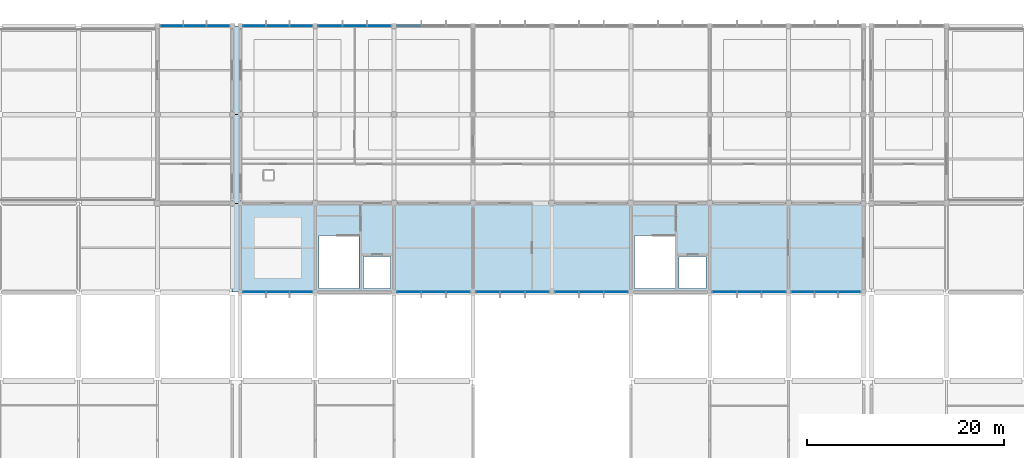
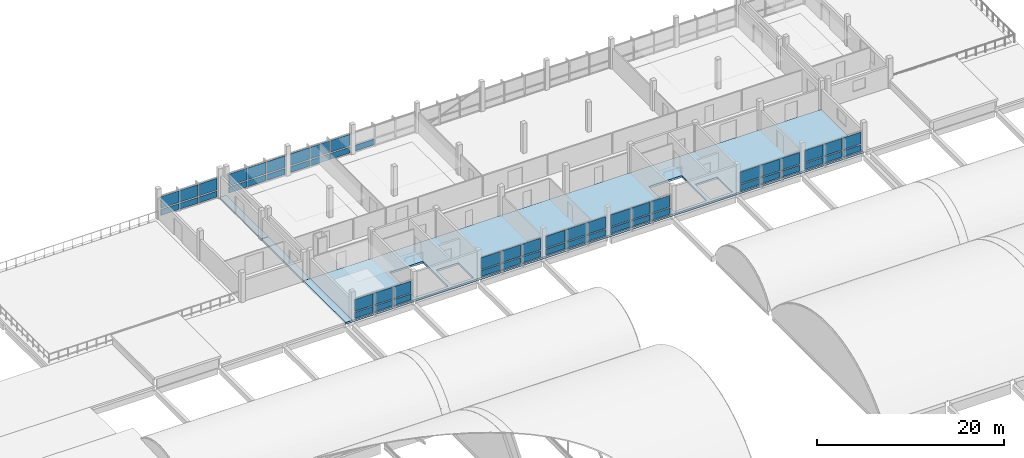
# One storey, part 43 of 57: 55 plates, 4 slabs, 10 elements without a shape of their own.
"""IFC4 building model written with IfcOpenShell, lengths in metres."""

from ifc_helpers import new_model, si_unit, direction, frame, origin, origin_2d, place, context, subcontext, project, spatial, polyline, rectangle, outline, extrude, material, layer, layer_set, type_object, element, aggregate, save


model = new_model("IFC4")

# Units and contexts
model_context = context("Model", 3, precision=1e-05, world=origin(), true_north=direction((0.0, 1.0)))
body_context = subcontext(model_context, "Body", "Model", "MODEL_VIEW")
ifc_project = project(units=[si_unit("LENGTHUNIT", "METRE"), si_unit("AREAUNIT", "SQUARE_METRE"), si_unit("VOLUMEUNIT", "CUBIC_METRE"), si_unit("PLANEANGLEUNIT", "RADIAN"), si_unit("MASSUNIT", "GRAM", prefix="KILO"), si_unit("THERMODYNAMICTEMPERATUREUNIT", "KELVIN"), si_unit("POWERUNIT", "WATT")], contexts=[model_context])

# Site, building, storey
site_placement = place(None, origin())
site = spatial("IfcSite", under=ifc_project, at=site_placement, CompositionType="ELEMENT")
building_placement = place(site_placement, origin())
building = spatial("IfcBuilding", under=site, at=building_placement, Name="Kronsvod Quay Wholesale Market", CompositionType="ELEMENT")
storey_placement = place(building_placement, frame((0.0, 0.0, 13.199951171875)))
storey = spatial("IfcBuildingStorey", under=building, at=storey_placement, Name="L03", CompositionType="ELEMENT", Elevation=13.199951171875)

# Curtain wall, plate
ifc_material_1 = material(Name="Thermally broken aluminium and triple low-E glazing", Category="aluminium")
curtain_wall_type_1 = type_object("IfcCurtainWallType", Name="CW_Harbour76x30", PredefinedType="NOTDEFINED", material=ifc_material_1)
curtain_wall_1_placement = place(storey_placement, origin())
curtain_wall_1 = element("IfcCurtainWall", 1, at=curtain_wall_1_placement, inside=storey, type_object=curtain_wall_type_1, Name="CWGX-L03-560-1260", PredefinedType="NOTDEFINED")
ifc_material_2 = material(Name="Insulated aluminium spandrel panel", Category="aluminium")
ifc_layer_1 = layer(ifc_material_2, 0.048095703125)
ifc_layer_set_1 = layer_set([ifc_layer_1], Name="Insulated aluminium spandrel panel")
plate_type_1 = type_object("IfcPlateType", Name="CWPanel_SP2257x775", PredefinedType="CURTAIN_PANEL", material=ifc_layer_set_1)
plate_1_placement = place(storey_placement, frame((62.1513671875, 126.0, 0.150146484375), z_axis=(0.0, 0.0, 1.0), x_axis=(-1.0, 0.0, 0.0)))
plate_1 = element("IfcPlate", 2, at=plate_1_placement, type_object=plate_type_1, Name="CWGX-L03-560-1260-PS1", PredefinedType="CURTAIN_PANEL", context=body_context, shape_type="SweptSolid", body=[
    extrude(rectangle(XDim=2.257080078125, YDim=0.048095703125, at=origin_2d()), origin(), (0.0, 0.0, 1.0), 0.77490234375),
])

ifc_material_3 = material(Name="Thermally broken aluminium and triple low-E glazing", Category="aluminium")
curtain_wall_type_2 = type_object("IfcCurtainWallType", Name="CW_Harbour80x30", PredefinedType="NOTDEFINED", material=ifc_material_3)
curtain_wall_2_placement = place(storey_placement, origin())
curtain_wall_2 = element("IfcCurtainWall", 3, at=curtain_wall_2_placement, inside=storey, type_object=curtain_wall_type_2, Name="CWGX-L03-644-990", PredefinedType="NOTDEFINED")
plate_2_placement = place(storey_placement, frame((65.8486328125, 99.0, 0.150146484375), z_axis=(0.0, 0.0, 1.0), x_axis=(1.0, 0.0, 0.0)))
plate_2 = element("IfcPlate", 4, at=plate_2_placement, type_object=plate_type_1, Name="CWGX-L03-644-990-PS1", PredefinedType="CURTAIN_PANEL", context=body_context, shape_type="SweptSolid", body=[
    extrude(rectangle(XDim=2.257080078125, YDim=0.048095703125, at=origin_2d()), origin(), (0.0, 0.0, 1.0), 0.77490234375),
])

curtain_wall_3_placement = place(storey_placement, origin())
curtain_wall_3 = element("IfcCurtainWall", 5, at=curtain_wall_3_placement, inside=storey, type_object=curtain_wall_type_2, Name="CWGX-L03-1200-990", PredefinedType="NOTDEFINED")
plate_3_placement = place(storey_placement, frame((121.44873046875, 99.0, 0.150146484375), z_axis=(0.0, 0.0, 1.0), x_axis=(1.0, 0.0, 0.0)))
plate_3 = element("IfcPlate", 6, at=plate_3_placement, type_object=plate_type_1, Name="CWGX-L03-1200-990-PS1", PredefinedType="CURTAIN_PANEL", context=body_context, shape_type="SweptSolid", body=[
    extrude(rectangle(XDim=2.257080078125, YDim=0.048095703125, at=origin_2d()), origin(), (0.0, 0.0, 1.0), 0.77490234375),
])

curtain_wall_4_placement = place(storey_placement, origin())
curtain_wall_4 = element("IfcCurtainWall", 7, at=curtain_wall_4_placement, inside=storey, type_object=curtain_wall_type_1, Name="CWGX-L03-644-1260", PredefinedType="NOTDEFINED")
plate_4_placement = place(storey_placement, frame((70.55126953125, 126.0, 0.150146484375), z_axis=(0.0, 0.0, 1.0), x_axis=(-1.0, 0.0, 0.0)))
plate_4 = element("IfcPlate", 8, at=plate_4_placement, type_object=plate_type_1, Name="CWGX-L03-644-1260-PS1", PredefinedType="CURTAIN_PANEL", context=body_context, shape_type="SweptSolid", body=[
    extrude(rectangle(XDim=2.257080078125, YDim=0.048095703125, at=origin_2d()), origin(), (0.0, 0.0, 1.0), 0.77490234375),
])

# Plate
ifc_material_4 = material(Name="Insulated aluminium spandrel panel", Category="aluminium")
ifc_layer_2 = layer(ifc_material_4, 0.048095703125)
ifc_layer_set_2 = layer_set([ifc_layer_2], Name="Insulated aluminium spandrel panel")
plate_type_2 = type_object("IfcPlateType", Name="CWPanel_SP2258x775", PredefinedType="CURTAIN_PANEL", material=ifc_layer_set_2)
plate_5_placement = place(storey_placement, frame((57.44873046875, 126.0, 0.150146484375), z_axis=(0.0, 0.0, 1.0), x_axis=(-1.0, 0.0, 0.0)))
plate_5 = element("IfcPlate", 9, at=plate_5_placement, type_object=plate_type_2, Name="CWGX-L03-560-1260-PS3", PredefinedType="CURTAIN_PANEL", context=body_context, shape_type="SweptSolid", body=[
    extrude(rectangle(XDim=2.258056640625, YDim=0.048095703125, at=origin_2d()), origin(), (0.0, 0.0, 1.0), 0.77490234375),
])

plate_6_placement = place(storey_placement, frame((70.55126953125, 99.0, 0.150146484375), z_axis=(0.0, 0.0, 1.0), x_axis=(1.0, 0.0, 0.0)))
plate_6 = element("IfcPlate", 10, at=plate_6_placement, type_object=plate_type_2, Name="CWGX-L03-644-990-PS3", PredefinedType="CURTAIN_PANEL", context=body_context, shape_type="SweptSolid", body=[
    extrude(rectangle(XDim=2.258056640625, YDim=0.048095703125, at=origin_2d()), origin(), (0.0, 0.0, 1.0), 0.77490234375),
])

plate_7_placement = place(storey_placement, frame((126.1513671875, 99.0, 0.150146484375), z_axis=(0.0, 0.0, 1.0), x_axis=(1.0, 0.0, 0.0)))
plate_7 = element("IfcPlate", 11, at=plate_7_placement, type_object=plate_type_2, Name="CWGX-L03-1200-990-PS3", PredefinedType="CURTAIN_PANEL", context=body_context, shape_type="SweptSolid", body=[
    extrude(rectangle(XDim=2.258056640625, YDim=0.048095703125, at=origin_2d()), origin(), (0.0, 0.0, 1.0), 0.77490234375),
])

plate_8_placement = place(storey_placement, frame((65.8486328125, 126.0, 0.150146484375), z_axis=(0.0, 0.0, 1.0), x_axis=(-1.0, 0.0, 0.0)))
plate_8 = element("IfcPlate", 12, at=plate_8_placement, type_object=plate_type_2, Name="CWGX-L03-644-1260-PS3", PredefinedType="CURTAIN_PANEL", context=body_context, shape_type="SweptSolid", body=[
    extrude(rectangle(XDim=2.258056640625, YDim=0.048095703125, at=origin_2d()), origin(), (0.0, 0.0, 1.0), 0.77490234375),
])

ifc_material_5 = material(Name="Insulated aluminium spandrel panel", Category="aluminium")
ifc_layer_3 = layer(ifc_material_5, 0.048095703125)
ifc_layer_set_3 = layer_set([ifc_layer_3], Name="Insulated aluminium spandrel panel")
plate_type_3 = type_object("IfcPlateType", Name="CWPanel_SP2295x775", PredefinedType="CURTAIN_PANEL", material=ifc_layer_set_3)
plate_9_placement = place(storey_placement, frame((59.800048828125, 126.0, 0.150146484375), z_axis=(0.0, 0.0, 1.0), x_axis=(-1.0, 0.0, 0.0)))
plate_9 = element("IfcPlate", 13, at=plate_9_placement, type_object=plate_type_3, Name="CWGX-L03-560-1260-PS2", PredefinedType="CURTAIN_PANEL", context=body_context, shape_type="SweptSolid", body=[
    extrude(rectangle(XDim=2.294921875, YDim=0.048095703125, at=origin_2d()), origin(), (0.0, 0.0, 1.0), 0.77490234375),
])

plate_10_placement = place(storey_placement, frame((68.199951171875, 99.0, 0.150146484375), z_axis=(0.0, 0.0, 1.0), x_axis=(1.0, 0.0, 0.0)))
plate_10 = element("IfcPlate", 14, at=plate_10_placement, type_object=plate_type_3, Name="CWGX-L03-644-990-PS2", PredefinedType="CURTAIN_PANEL", context=body_context, shape_type="SweptSolid", body=[
    extrude(rectangle(XDim=2.294921875, YDim=0.048095703125, at=origin_2d()), origin(), (0.0, 0.0, 1.0), 0.77490234375),
])

plate_11_placement = place(storey_placement, frame((123.800048828125, 99.0, 0.150146484375), z_axis=(0.0, 0.0, 1.0), x_axis=(1.0, 0.0, 0.0)))
plate_11 = element("IfcPlate", 15, at=plate_11_placement, type_object=plate_type_3, Name="CWGX-L03-1200-990-PS2", PredefinedType="CURTAIN_PANEL", context=body_context, shape_type="SweptSolid", body=[
    extrude(rectangle(XDim=2.294921875, YDim=0.048095703125, at=origin_2d()), origin(), (0.0, 0.0, 1.0), 0.77490234375),
])

plate_12_placement = place(storey_placement, frame((68.199951171875, 126.0, 0.150146484375), z_axis=(0.0, 0.0, 1.0), x_axis=(-1.0, 0.0, 0.0)))
plate_12 = element("IfcPlate", 16, at=plate_12_placement, type_object=plate_type_3, Name="CWGX-L03-644-1260-PS2", PredefinedType="CURTAIN_PANEL", context=body_context, shape_type="SweptSolid", body=[
    extrude(rectangle(XDim=2.294921875, YDim=0.048095703125, at=origin_2d()), origin(), (0.0, 0.0, 1.0), 0.77490234375),
])

# Curtain wall, plates
curtain_wall_5_placement = place(storey_placement, origin())
curtain_wall_5 = element("IfcCurtainWall", 17, at=curtain_wall_5_placement, inside=storey, type_object=curtain_wall_type_2, Name="CWGX-L03-800-990", PredefinedType="NOTDEFINED")
ifc_material_6 = material(Name="Insulated aluminium spandrel panel", Category="aluminium")
ifc_layer_4 = layer(ifc_material_6, 0.048095703125)
ifc_layer_set_4 = layer_set([ifc_layer_4], Name="Insulated aluminium spandrel panel")
plate_type_4 = type_object("IfcPlateType", Name="CWPanel_SP2391x775", PredefinedType="CURTAIN_PANEL", material=ifc_layer_set_4)
plate_13_placement = place(storey_placement, frame((81.515380859375, 99.0, 0.150146484375), z_axis=(0.0, 0.0, 1.0), x_axis=(1.0, 0.0, 0.0)))
plate_13 = element("IfcPlate", 18, at=plate_13_placement, type_object=plate_type_4, Name="CWGX-L03-800-990-PS1", PredefinedType="CURTAIN_PANEL", context=body_context, shape_type="SweptSolid", body=[
    extrude(rectangle(XDim=2.39111328125, YDim=0.048095703125, at=origin_2d()), origin(), (0.0, 0.0, 1.0), 0.77490234375),
])
plate_14_placement = place(storey_placement, frame((86.484619140625, 99.0, 0.150146484375), z_axis=(0.0, 0.0, 1.0), x_axis=(1.0, 0.0, 0.0)))
plate_14 = element("IfcPlate", 19, at=plate_14_placement, type_object=plate_type_4, Name="CWGX-L03-800-990-PS3", PredefinedType="CURTAIN_PANEL", context=body_context, shape_type="SweptSolid", body=[
    extrude(rectangle(XDim=2.39111328125, YDim=0.048095703125, at=origin_2d()), origin(), (0.0, 0.0, 1.0), 0.77490234375),
])

curtain_wall_6_placement = place(storey_placement, origin())
curtain_wall_6 = element("IfcCurtainWall", 20, at=curtain_wall_6_placement, inside=storey, type_object=curtain_wall_type_2, Name="CWGX-L03-880-990", PredefinedType="NOTDEFINED")
plate_15_placement = place(storey_placement, frame((89.515380859375, 99.0, 0.150146484375), z_axis=(0.0, 0.0, 1.0), x_axis=(1.0, 0.0, 0.0)))
plate_15 = element("IfcPlate", 21, at=plate_15_placement, type_object=plate_type_4, Name="CWGX-L03-880-990-PS1", PredefinedType="CURTAIN_PANEL", context=body_context, shape_type="SweptSolid", body=[
    extrude(rectangle(XDim=2.39111328125, YDim=0.048095703125, at=origin_2d()), origin(), (0.0, 0.0, 1.0), 0.77490234375),
])
plate_16_placement = place(storey_placement, frame((94.484619140625, 99.0, 0.150146484375), z_axis=(0.0, 0.0, 1.0), x_axis=(1.0, 0.0, 0.0)))
plate_16 = element("IfcPlate", 22, at=plate_16_placement, type_object=plate_type_4, Name="CWGX-L03-880-990-PS3", PredefinedType="CURTAIN_PANEL", context=body_context, shape_type="SweptSolid", body=[
    extrude(rectangle(XDim=2.39111328125, YDim=0.048095703125, at=origin_2d()), origin(), (0.0, 0.0, 1.0), 0.77490234375),
])

curtain_wall_7_placement = place(storey_placement, origin())
curtain_wall_7 = element("IfcCurtainWall", 23, at=curtain_wall_7_placement, inside=storey, type_object=curtain_wall_type_2, Name="CWGX-L03-960-990", PredefinedType="NOTDEFINED")
plate_17_placement = place(storey_placement, frame((97.515380859375, 99.0, 0.150146484375), z_axis=(0.0, 0.0, 1.0), x_axis=(1.0, 0.0, 0.0)))
plate_17 = element("IfcPlate", 24, at=plate_17_placement, type_object=plate_type_4, Name="CWGX-L03-960-990-PS1", PredefinedType="CURTAIN_PANEL", context=body_context, shape_type="SweptSolid", body=[
    extrude(rectangle(XDim=2.39111328125, YDim=0.048095703125, at=origin_2d()), origin(), (0.0, 0.0, 1.0), 0.77490234375),
])
plate_18_placement = place(storey_placement, frame((102.484619140625, 99.0, 0.150146484375), z_axis=(0.0, 0.0, 1.0), x_axis=(1.0, 0.0, 0.0)))
plate_18 = element("IfcPlate", 25, at=plate_18_placement, type_object=plate_type_4, Name="CWGX-L03-960-990-PS3", PredefinedType="CURTAIN_PANEL", context=body_context, shape_type="SweptSolid", body=[
    extrude(rectangle(XDim=2.39111328125, YDim=0.048095703125, at=origin_2d()), origin(), (0.0, 0.0, 1.0), 0.77490234375),
])

curtain_wall_8_placement = place(storey_placement, origin())
curtain_wall_8 = element("IfcCurtainWall", 26, at=curtain_wall_8_placement, inside=storey, type_object=curtain_wall_type_2, Name="CWGX-L03-1120-990", PredefinedType="NOTDEFINED")
plate_19_placement = place(storey_placement, frame((113.515380859375, 99.0, 0.150146484375), z_axis=(0.0, 0.0, 1.0), x_axis=(1.0, 0.0, 0.0)))
plate_19 = element("IfcPlate", 27, at=plate_19_placement, type_object=plate_type_4, Name="CWGX-L03-1120-990-PS1", PredefinedType="CURTAIN_PANEL", context=body_context, shape_type="SweptSolid", body=[
    extrude(rectangle(XDim=2.39111328125, YDim=0.048095703125, at=origin_2d()), origin(), (0.0, 0.0, 1.0), 0.77490234375),
])
plate_20_placement = place(storey_placement, frame((118.484619140625, 99.0, 0.150146484375), z_axis=(0.0, 0.0, 1.0), x_axis=(1.0, 0.0, 0.0)))
plate_20 = element("IfcPlate", 28, at=plate_20_placement, type_object=plate_type_4, Name="CWGX-L03-1120-990-PS3", PredefinedType="CURTAIN_PANEL", context=body_context, shape_type="SweptSolid", body=[
    extrude(rectangle(XDim=2.39111328125, YDim=0.048095703125, at=origin_2d()), origin(), (0.0, 0.0, 1.0), 0.77490234375),
])

curtain_wall_9_placement = place(storey_placement, origin())
curtain_wall_9 = element("IfcCurtainWall", 29, at=curtain_wall_9_placement, inside=storey, type_object=curtain_wall_type_2, Name="CWGX-L03-720-1260", PredefinedType="NOTDEFINED")
plate_21_placement = place(storey_placement, frame((78.484619140625, 126.0, 0.150146484375), z_axis=(0.0, 0.0, 1.0), x_axis=(-1.0, 0.0, 0.0)))
plate_21 = element("IfcPlate", 30, at=plate_21_placement, type_object=plate_type_4, Name="CWGX-L03-720-1260-PS1", PredefinedType="CURTAIN_PANEL", context=body_context, shape_type="SweptSolid", body=[
    extrude(rectangle(XDim=2.39111328125, YDim=0.048095703125, at=origin_2d()), origin(), (0.0, 0.0, 1.0), 0.77490234375),
])
plate_22_placement = place(storey_placement, frame((73.515380859375, 126.0, 0.150146484375), z_axis=(0.0, 0.0, 1.0), x_axis=(-1.0, 0.0, 0.0)))
plate_22 = element("IfcPlate", 31, at=plate_22_placement, type_object=plate_type_4, Name="CWGX-L03-720-1260-PS3", PredefinedType="CURTAIN_PANEL", context=body_context, shape_type="SweptSolid", body=[
    extrude(rectangle(XDim=2.39111328125, YDim=0.048095703125, at=origin_2d()), origin(), (0.0, 0.0, 1.0), 0.77490234375),
])

# Curtain wall, plate
curtain_wall_10_placement = place(storey_placement, origin())
curtain_wall_10 = element("IfcCurtainWall", 32, at=curtain_wall_10_placement, inside=storey, type_object=curtain_wall_type_2, Name="CWGX-L03-800-1260", PredefinedType="NOTDEFINED")
plate_23_placement = place(storey_placement, frame((81.515380859375, 126.0, 0.150146484375), z_axis=(0.0, 0.0, 1.0), x_axis=(-1.0, 0.0, 0.0)))
plate_23 = element("IfcPlate", 33, at=plate_23_placement, type_object=plate_type_4, Name="CWGX-L03-800-1260-PS3", PredefinedType="CURTAIN_PANEL", context=body_context, shape_type="SweptSolid", body=[
    extrude(rectangle(XDim=2.39111328125, YDim=0.048095703125, at=origin_2d()), origin(), (0.0, 0.0, 1.0), 0.77490234375),
])
aggregate(curtain_wall_10, [plate_23])

# Plate
ifc_material_7 = material(Name="Insulated aluminium spandrel panel", Category="aluminium")
ifc_layer_5 = layer(ifc_material_7, 0.048095703125)
ifc_layer_set_5 = layer_set([ifc_layer_5], Name="Insulated aluminium spandrel panel")
plate_type_5 = type_object("IfcPlateType", Name="CWPanel_SP2428x775", PredefinedType="CURTAIN_PANEL", material=ifc_layer_set_5)
plate_24_placement = place(storey_placement, frame((84.0, 99.0, 0.150146484375), z_axis=(0.0, 0.0, 1.0), x_axis=(1.0, 0.0, 0.0)))
plate_24 = element("IfcPlate", 34, at=plate_24_placement, type_object=plate_type_5, Name="CWGX-L03-800-990-PS2", PredefinedType="CURTAIN_PANEL", context=body_context, shape_type="SweptSolid", body=[
    extrude(rectangle(XDim=2.427978515625, YDim=0.048095703125, at=origin_2d()), origin(), (0.0, 0.0, 1.0), 0.77490234375),
])

plate_25_placement = place(storey_placement, frame((92.0, 99.0, 0.150146484375), z_axis=(0.0, 0.0, 1.0), x_axis=(1.0, 0.0, 0.0)))
plate_25 = element("IfcPlate", 35, at=plate_25_placement, type_object=plate_type_5, Name="CWGX-L03-880-990-PS2", PredefinedType="CURTAIN_PANEL", context=body_context, shape_type="SweptSolid", body=[
    extrude(rectangle(XDim=2.427978515625, YDim=0.048095703125, at=origin_2d()), origin(), (0.0, 0.0, 1.0), 0.77490234375),
])

plate_26_placement = place(storey_placement, frame((100.0, 99.0, 0.150146484375), z_axis=(0.0, 0.0, 1.0), x_axis=(1.0, 0.0, 0.0)))
plate_26 = element("IfcPlate", 36, at=plate_26_placement, type_object=plate_type_5, Name="CWGX-L03-960-990-PS2", PredefinedType="CURTAIN_PANEL", context=body_context, shape_type="SweptSolid", body=[
    extrude(rectangle(XDim=2.427978515625, YDim=0.048095703125, at=origin_2d()), origin(), (0.0, 0.0, 1.0), 0.77490234375),
])

plate_27_placement = place(storey_placement, frame((116.0, 99.0, 0.150146484375), z_axis=(0.0, 0.0, 1.0), x_axis=(1.0, 0.0, 0.0)))
plate_27 = element("IfcPlate", 37, at=plate_27_placement, type_object=plate_type_5, Name="CWGX-L03-1120-990-PS2", PredefinedType="CURTAIN_PANEL", context=body_context, shape_type="SweptSolid", body=[
    extrude(rectangle(XDim=2.427978515625, YDim=0.048095703125, at=origin_2d()), origin(), (0.0, 0.0, 1.0), 0.77490234375),
])

plate_28_placement = place(storey_placement, frame((76.0, 126.0, 0.150146484375), z_axis=(0.0, 0.0, 1.0), x_axis=(-1.0, 0.0, 0.0)))
plate_28 = element("IfcPlate", 38, at=plate_28_placement, type_object=plate_type_5, Name="CWGX-L03-720-1260-PS2", PredefinedType="CURTAIN_PANEL", context=body_context, shape_type="SweptSolid", body=[
    extrude(rectangle(XDim=2.427978515625, YDim=0.048095703125, at=origin_2d()), origin(), (0.0, 0.0, 1.0), 0.77490234375),
])

ifc_material_8 = material(Name="Triple low-E insulated glazing", Category="glass")
ifc_layer_6 = layer(ifc_material_8, 0.0439453125)
ifc_layer_set_6 = layer_set([ifc_layer_6], Name="Triple low-E insulated glazing")
plate_type_6 = type_object("IfcPlateType", Name="CWPanel_VS2257x1525", PredefinedType="CURTAIN_PANEL", material=ifc_layer_set_6)
plate_29_placement = place(storey_placement, frame((62.1513671875, 126.0, 1.0751953125), z_axis=(0.0, 0.0, 1.0), x_axis=(-1.0, 0.0, 0.0)))
plate_29 = element("IfcPlate", 39, at=plate_29_placement, type_object=plate_type_6, Name="CWGX-L03-560-1260-PV1", PredefinedType="CURTAIN_PANEL", context=body_context, shape_type="SweptSolid", body=[
    extrude(rectangle(XDim=2.257080078125, YDim=0.0439453125, at=origin_2d()), origin(), (0.0, 0.0, 1.0), 1.52490234375),
])

plate_30_placement = place(storey_placement, frame((65.8486328125, 99.0, 1.0751953125), z_axis=(0.0, 0.0, 1.0), x_axis=(1.0, 0.0, 0.0)))
plate_30 = element("IfcPlate", 40, at=plate_30_placement, type_object=plate_type_6, Name="CWGX-L03-644-990-PV1", PredefinedType="CURTAIN_PANEL", context=body_context, shape_type="SweptSolid", body=[
    extrude(rectangle(XDim=2.257080078125, YDim=0.0439453125, at=origin_2d()), origin(), (0.0, 0.0, 1.0), 1.52490234375),
])

plate_31_placement = place(storey_placement, frame((121.44873046875, 99.0, 1.0751953125), z_axis=(0.0, 0.0, 1.0), x_axis=(1.0, 0.0, 0.0)))
plate_31 = element("IfcPlate", 41, at=plate_31_placement, type_object=plate_type_6, Name="CWGX-L03-1200-990-PV1", PredefinedType="CURTAIN_PANEL", context=body_context, shape_type="SweptSolid", body=[
    extrude(rectangle(XDim=2.257080078125, YDim=0.0439453125, at=origin_2d()), origin(), (0.0, 0.0, 1.0), 1.52490234375),
])

plate_32_placement = place(storey_placement, frame((70.55126953125, 126.0, 1.0751953125), z_axis=(0.0, 0.0, 1.0), x_axis=(-1.0, 0.0, 0.0)))
plate_32 = element("IfcPlate", 42, at=plate_32_placement, type_object=plate_type_6, Name="CWGX-L03-644-1260-PV1", PredefinedType="CURTAIN_PANEL", context=body_context, shape_type="SweptSolid", body=[
    extrude(rectangle(XDim=2.257080078125, YDim=0.0439453125, at=origin_2d()), origin(), (0.0, 0.0, 1.0), 1.52490234375),
])

ifc_material_9 = material(Name="Triple low-E insulated glazing", Category="glass")
ifc_layer_7 = layer(ifc_material_9, 0.0439453125)
ifc_layer_set_7 = layer_set([ifc_layer_7], Name="Triple low-E insulated glazing")
plate_type_7 = type_object("IfcPlateType", Name="CWPanel_VS2258x1525", PredefinedType="CURTAIN_PANEL", material=ifc_layer_set_7)
plate_33_placement = place(storey_placement, frame((57.44873046875, 126.0, 1.0751953125), z_axis=(0.0, 0.0, 1.0), x_axis=(-1.0, 0.0, 0.0)))
plate_33 = element("IfcPlate", 43, at=plate_33_placement, type_object=plate_type_7, Name="CWGX-L03-560-1260-PV3", PredefinedType="CURTAIN_PANEL", context=body_context, shape_type="SweptSolid", body=[
    extrude(rectangle(XDim=2.258056640625, YDim=0.0439453125, at=origin_2d()), origin(), (0.0, 0.0, 1.0), 1.52490234375),
])

plate_34_placement = place(storey_placement, frame((70.55126953125, 99.0, 1.0751953125), z_axis=(0.0, 0.0, 1.0), x_axis=(1.0, 0.0, 0.0)))
plate_34 = element("IfcPlate", 44, at=plate_34_placement, type_object=plate_type_7, Name="CWGX-L03-644-990-PV3", PredefinedType="CURTAIN_PANEL", context=body_context, shape_type="SweptSolid", body=[
    extrude(rectangle(XDim=2.258056640625, YDim=0.0439453125, at=origin_2d()), origin(), (0.0, 0.0, 1.0), 1.52490234375),
])

plate_35_placement = place(storey_placement, frame((126.1513671875, 99.0, 1.0751953125), z_axis=(0.0, 0.0, 1.0), x_axis=(1.0, 0.0, 0.0)))
plate_35 = element("IfcPlate", 45, at=plate_35_placement, type_object=plate_type_7, Name="CWGX-L03-1200-990-PV3", PredefinedType="CURTAIN_PANEL", context=body_context, shape_type="SweptSolid", body=[
    extrude(rectangle(XDim=2.258056640625, YDim=0.0439453125, at=origin_2d()), origin(), (0.0, 0.0, 1.0), 1.52490234375),
])

plate_36_placement = place(storey_placement, frame((65.8486328125, 126.0, 1.0751953125), z_axis=(0.0, 0.0, 1.0), x_axis=(-1.0, 0.0, 0.0)))
plate_36 = element("IfcPlate", 46, at=plate_36_placement, type_object=plate_type_7, Name="CWGX-L03-644-1260-PV3", PredefinedType="CURTAIN_PANEL", context=body_context, shape_type="SweptSolid", body=[
    extrude(rectangle(XDim=2.258056640625, YDim=0.0439453125, at=origin_2d()), origin(), (0.0, 0.0, 1.0), 1.52490234375),
])

ifc_material_10 = material(Name="Triple low-E insulated glazing", Category="glass")
ifc_layer_8 = layer(ifc_material_10, 0.0439453125)
ifc_layer_set_8 = layer_set([ifc_layer_8], Name="Triple low-E insulated glazing")
plate_type_8 = type_object("IfcPlateType", Name="CWPanel_VS2295x1525", PredefinedType="CURTAIN_PANEL", material=ifc_layer_set_8)
plate_37_placement = place(storey_placement, frame((59.800048828125, 126.0, 1.0751953125), z_axis=(0.0, 0.0, 1.0), x_axis=(-1.0, 0.0, 0.0)))
plate_37 = element("IfcPlate", 47, at=plate_37_placement, type_object=plate_type_8, Name="CWGX-L03-560-1260-PV2", PredefinedType="CURTAIN_PANEL", context=body_context, shape_type="SweptSolid", body=[
    extrude(rectangle(XDim=2.294921875, YDim=0.0439453125, at=origin_2d()), origin(), (0.0, 0.0, 1.0), 1.52490234375),
])

aggregate(curtain_wall_1, [plate_1, plate_29, plate_9, plate_37, plate_5, plate_33])

plate_38_placement = place(storey_placement, frame((68.199951171875, 99.0, 1.0751953125), z_axis=(0.0, 0.0, 1.0), x_axis=(1.0, 0.0, 0.0)))
plate_38 = element("IfcPlate", 48, at=plate_38_placement, type_object=plate_type_8, Name="CWGX-L03-644-990-PV2", PredefinedType="CURTAIN_PANEL", context=body_context, shape_type="SweptSolid", body=[
    extrude(rectangle(XDim=2.294921875, YDim=0.0439453125, at=origin_2d()), origin(), (0.0, 0.0, 1.0), 1.52490234375),
])

aggregate(curtain_wall_2, [plate_2, plate_30, plate_10, plate_38, plate_6, plate_34])

plate_39_placement = place(storey_placement, frame((123.800048828125, 99.0, 1.0751953125), z_axis=(0.0, 0.0, 1.0), x_axis=(1.0, 0.0, 0.0)))
plate_39 = element("IfcPlate", 49, at=plate_39_placement, type_object=plate_type_8, Name="CWGX-L03-1200-990-PV2", PredefinedType="CURTAIN_PANEL", context=body_context, shape_type="SweptSolid", body=[
    extrude(rectangle(XDim=2.294921875, YDim=0.0439453125, at=origin_2d()), origin(), (0.0, 0.0, 1.0), 1.52490234375),
])

aggregate(curtain_wall_3, [plate_3, plate_31, plate_11, plate_39, plate_7, plate_35])

plate_40_placement = place(storey_placement, frame((68.199951171875, 126.0, 1.0751953125), z_axis=(0.0, 0.0, 1.0), x_axis=(-1.0, 0.0, 0.0)))
plate_40 = element("IfcPlate", 50, at=plate_40_placement, type_object=plate_type_8, Name="CWGX-L03-644-1260-PV2", PredefinedType="CURTAIN_PANEL", context=body_context, shape_type="SweptSolid", body=[
    extrude(rectangle(XDim=2.294921875, YDim=0.0439453125, at=origin_2d()), origin(), (0.0, 0.0, 1.0), 1.52490234375),
])

aggregate(curtain_wall_4, [plate_4, plate_32, plate_12, plate_40, plate_8, plate_36])

ifc_material_11 = material(Name="Triple low-E insulated glazing", Category="glass")
ifc_layer_9 = layer(ifc_material_11, 0.0439453125)
ifc_layer_set_9 = layer_set([ifc_layer_9], Name="Triple low-E insulated glazing")
plate_type_9 = type_object("IfcPlateType", Name="CWPanel_VS2391x1525", PredefinedType="CURTAIN_PANEL", material=ifc_layer_set_9)
plate_41_placement = place(storey_placement, frame((81.515380859375, 99.0, 1.0751953125), z_axis=(0.0, 0.0, 1.0), x_axis=(1.0, 0.0, 0.0)))
plate_41 = element("IfcPlate", 51, at=plate_41_placement, type_object=plate_type_9, Name="CWGX-L03-800-990-PV1", PredefinedType="CURTAIN_PANEL", context=body_context, shape_type="SweptSolid", body=[
    extrude(rectangle(XDim=2.39111328125, YDim=0.0439453125, at=origin_2d()), origin(), (0.0, 0.0, 1.0), 1.52490234375),
])

plate_42_placement = place(storey_placement, frame((86.484619140625, 99.0, 1.0751953125), z_axis=(0.0, 0.0, 1.0), x_axis=(1.0, 0.0, 0.0)))
plate_42 = element("IfcPlate", 52, at=plate_42_placement, type_object=plate_type_9, Name="CWGX-L03-800-990-PV3", PredefinedType="CURTAIN_PANEL", context=body_context, shape_type="SweptSolid", body=[
    extrude(rectangle(XDim=2.39111328125, YDim=0.0439453125, at=origin_2d()), origin(), (0.0, 0.0, 1.0), 1.52490234375),
])

plate_43_placement = place(storey_placement, frame((89.515380859375, 99.0, 1.0751953125), z_axis=(0.0, 0.0, 1.0), x_axis=(1.0, 0.0, 0.0)))
plate_43 = element("IfcPlate", 53, at=plate_43_placement, type_object=plate_type_9, Name="CWGX-L03-880-990-PV1", PredefinedType="CURTAIN_PANEL", context=body_context, shape_type="SweptSolid", body=[
    extrude(rectangle(XDim=2.39111328125, YDim=0.0439453125, at=origin_2d()), origin(), (0.0, 0.0, 1.0), 1.52490234375),
])

plate_44_placement = place(storey_placement, frame((94.484619140625, 99.0, 1.0751953125), z_axis=(0.0, 0.0, 1.0), x_axis=(1.0, 0.0, 0.0)))
plate_44 = element("IfcPlate", 54, at=plate_44_placement, type_object=plate_type_9, Name="CWGX-L03-880-990-PV3", PredefinedType="CURTAIN_PANEL", context=body_context, shape_type="SweptSolid", body=[
    extrude(rectangle(XDim=2.39111328125, YDim=0.0439453125, at=origin_2d()), origin(), (0.0, 0.0, 1.0), 1.52490234375),
])

plate_45_placement = place(storey_placement, frame((97.515380859375, 99.0, 1.0751953125), z_axis=(0.0, 0.0, 1.0), x_axis=(1.0, 0.0, 0.0)))
plate_45 = element("IfcPlate", 55, at=plate_45_placement, type_object=plate_type_9, Name="CWGX-L03-960-990-PV1", PredefinedType="CURTAIN_PANEL", context=body_context, shape_type="SweptSolid", body=[
    extrude(rectangle(XDim=2.39111328125, YDim=0.0439453125, at=origin_2d()), origin(), (0.0, 0.0, 1.0), 1.52490234375),
])

plate_46_placement = place(storey_placement, frame((102.484619140625, 99.0, 1.0751953125), z_axis=(0.0, 0.0, 1.0), x_axis=(1.0, 0.0, 0.0)))
plate_46 = element("IfcPlate", 56, at=plate_46_placement, type_object=plate_type_9, Name="CWGX-L03-960-990-PV3", PredefinedType="CURTAIN_PANEL", context=body_context, shape_type="SweptSolid", body=[
    extrude(rectangle(XDim=2.39111328125, YDim=0.0439453125, at=origin_2d()), origin(), (0.0, 0.0, 1.0), 1.52490234375),
])

plate_47_placement = place(storey_placement, frame((113.515380859375, 99.0, 1.0751953125), z_axis=(0.0, 0.0, 1.0), x_axis=(1.0, 0.0, 0.0)))
plate_47 = element("IfcPlate", 57, at=plate_47_placement, type_object=plate_type_9, Name="CWGX-L03-1120-990-PV1", PredefinedType="CURTAIN_PANEL", context=body_context, shape_type="SweptSolid", body=[
    extrude(rectangle(XDim=2.39111328125, YDim=0.0439453125, at=origin_2d()), origin(), (0.0, 0.0, 1.0), 1.52490234375),
])

plate_48_placement = place(storey_placement, frame((118.484619140625, 99.0, 1.0751953125), z_axis=(0.0, 0.0, 1.0), x_axis=(1.0, 0.0, 0.0)))
plate_48 = element("IfcPlate", 58, at=plate_48_placement, type_object=plate_type_9, Name="CWGX-L03-1120-990-PV3", PredefinedType="CURTAIN_PANEL", context=body_context, shape_type="SweptSolid", body=[
    extrude(rectangle(XDim=2.39111328125, YDim=0.0439453125, at=origin_2d()), origin(), (0.0, 0.0, 1.0), 1.52490234375),
])

plate_49_placement = place(storey_placement, frame((78.484619140625, 126.0, 1.0751953125), z_axis=(0.0, 0.0, 1.0), x_axis=(-1.0, 0.0, 0.0)))
plate_49 = element("IfcPlate", 59, at=plate_49_placement, type_object=plate_type_9, Name="CWGX-L03-720-1260-PV1", PredefinedType="CURTAIN_PANEL", context=body_context, shape_type="SweptSolid", body=[
    extrude(rectangle(XDim=2.39111328125, YDim=0.0439453125, at=origin_2d()), origin(), (0.0, 0.0, 1.0), 1.52490234375),
])

plate_50_placement = place(storey_placement, frame((73.515380859375, 126.0, 1.0751953125), z_axis=(0.0, 0.0, 1.0), x_axis=(-1.0, 0.0, 0.0)))
plate_50 = element("IfcPlate", 60, at=plate_50_placement, type_object=plate_type_9, Name="CWGX-L03-720-1260-PV3", PredefinedType="CURTAIN_PANEL", context=body_context, shape_type="SweptSolid", body=[
    extrude(rectangle(XDim=2.39111328125, YDim=0.0439453125, at=origin_2d()), origin(), (0.0, 0.0, 1.0), 1.52490234375),
])

ifc_material_12 = material(Name="Triple low-E insulated glazing", Category="glass")
ifc_layer_10 = layer(ifc_material_12, 0.0439453125)
ifc_layer_set_10 = layer_set([ifc_layer_10], Name="Triple low-E insulated glazing")
plate_type_10 = type_object("IfcPlateType", Name="CWPanel_VS2428x1525", PredefinedType="CURTAIN_PANEL", material=ifc_layer_set_10)
plate_51_placement = place(storey_placement, frame((84.0, 99.0, 1.0751953125), z_axis=(0.0, 0.0, 1.0), x_axis=(1.0, 0.0, 0.0)))
plate_51 = element("IfcPlate", 61, at=plate_51_placement, type_object=plate_type_10, Name="CWGX-L03-800-990-PV2", PredefinedType="CURTAIN_PANEL", context=body_context, shape_type="SweptSolid", body=[
    extrude(rectangle(XDim=2.427978515625, YDim=0.0439453125, at=origin_2d()), origin(), (0.0, 0.0, 1.0), 1.52490234375),
])

aggregate(curtain_wall_5, [plate_13, plate_41, plate_24, plate_51, plate_14, plate_42])

plate_52_placement = place(storey_placement, frame((92.0, 99.0, 1.0751953125), z_axis=(0.0, 0.0, 1.0), x_axis=(1.0, 0.0, 0.0)))
plate_52 = element("IfcPlate", 62, at=plate_52_placement, type_object=plate_type_10, Name="CWGX-L03-880-990-PV2", PredefinedType="CURTAIN_PANEL", context=body_context, shape_type="SweptSolid", body=[
    extrude(rectangle(XDim=2.427978515625, YDim=0.0439453125, at=origin_2d()), origin(), (0.0, 0.0, 1.0), 1.52490234375),
])

aggregate(curtain_wall_6, [plate_15, plate_43, plate_25, plate_52, plate_16, plate_44])

plate_53_placement = place(storey_placement, frame((100.0, 99.0, 1.0751953125), z_axis=(0.0, 0.0, 1.0), x_axis=(1.0, 0.0, 0.0)))
plate_53 = element("IfcPlate", 63, at=plate_53_placement, type_object=plate_type_10, Name="CWGX-L03-960-990-PV2", PredefinedType="CURTAIN_PANEL", context=body_context, shape_type="SweptSolid", body=[
    extrude(rectangle(XDim=2.427978515625, YDim=0.0439453125, at=origin_2d()), origin(), (0.0, 0.0, 1.0), 1.52490234375),
])

aggregate(curtain_wall_7, [plate_17, plate_45, plate_26, plate_53, plate_18, plate_46])

plate_54_placement = place(storey_placement, frame((116.0, 99.0, 1.0751953125), z_axis=(0.0, 0.0, 1.0), x_axis=(1.0, 0.0, 0.0)))
plate_54 = element("IfcPlate", 64, at=plate_54_placement, type_object=plate_type_10, Name="CWGX-L03-1120-990-PV2", PredefinedType="CURTAIN_PANEL", context=body_context, shape_type="SweptSolid", body=[
    extrude(rectangle(XDim=2.427978515625, YDim=0.0439453125, at=origin_2d()), origin(), (0.0, 0.0, 1.0), 1.52490234375),
])

aggregate(curtain_wall_8, [plate_19, plate_47, plate_27, plate_54, plate_20, plate_48])

plate_55_placement = place(storey_placement, frame((76.0, 126.0, 1.0751953125), z_axis=(0.0, 0.0, 1.0), x_axis=(-1.0, 0.0, 0.0)))
plate_55 = element("IfcPlate", 65, at=plate_55_placement, type_object=plate_type_10, Name="CWGX-L03-720-1260-PV2", PredefinedType="CURTAIN_PANEL", context=body_context, shape_type="SweptSolid", body=[
    extrude(rectangle(XDim=2.427978515625, YDim=0.0439453125, at=origin_2d()), origin(), (0.0, 0.0, 1.0), 1.52490234375),
])

aggregate(curtain_wall_9, [plate_21, plate_49, plate_28, plate_55, plate_22, plate_50])

# Slabs
ifc_material_13 = material(Name="Concrete C35/45", Category="concrete")
ifc_layer_11 = layer(ifc_material_13, 0.25)
ifc_layer_set_11 = layer_set([ifc_layer_11], Name="Concrete C35/45")
slab_type_1 = type_object("IfcSlabType", Name="Slab_Floor250", PredefinedType="FLOOR", material=ifc_layer_set_11)
slab_1_placement = place(storey_placement, frame((0.0, 0.0, -0.25)))
element("IfcSlab", 66, at=slab_1_placement, inside=storey, type_object=slab_type_1, Name="SLB-L03-152", PredefinedType="FLOOR", context=body_context, shape_type="SweptSolid", body=[
    extrude(outline(polyline([(64.419921875, 99.0), (127.580078125, 99.0), (127.580078125, 108.0), (64.419921875, 108.0), (64.419921875, 99.0)]), holes=[polyline([(72.3798828125, 99.3798828125), (76.4599609375, 99.3798828125), (76.4599609375, 104.75), (72.3798828125, 104.75), (72.3798828125, 99.3798828125)]), polyline([(76.89990234375, 99.3798828125), (79.6201171875, 99.3798828125), (79.6201171875, 102.6201171875), (76.89990234375, 102.6201171875), (76.89990234375, 99.3798828125)]), polyline([(104.3798828125, 99.3798828125), (108.4599609375, 99.3798828125), (108.4599609375, 104.75), (104.3798828125, 104.75), (104.3798828125, 99.3798828125)]), polyline([(108.89990234375, 99.3798828125), (111.6201171875, 99.3798828125), (111.6201171875, 102.6201171875), (108.89990234375, 102.6201171875), (108.89990234375, 99.3798828125)])]), origin(), (0.0, 0.0, 1.0), 0.25),
])
ifc_material_14 = material(Name="Concrete C35/45", Category="concrete")
ifc_layer_12 = layer(ifc_material_14, 0.2451171875)
ifc_layer_set_12 = layer_set([ifc_layer_12], Name="Concrete C35/45")
slab_type_2 = type_object("IfcSlabType", Name="Slab_JointBridge245", PredefinedType="FLOOR", material=ifc_layer_set_12)
slab_2_placement = place(storey_placement, frame((0.0, 0.0, -0.244873046875)))
element("IfcSlab", 67, at=slab_2_placement, inside=storey, type_object=slab_type_2, Name="SLB-MJ-L03-J1-99", PredefinedType="FLOOR", context=body_context, shape_type="SweptSolid", body=[
    extrude(outline(polyline([(63.580078125, 99.0), (64.419921875, 99.0), (64.419921875, 108.0), (63.580078125, 108.0), (63.580078125, 99.0)])), origin(), (0.0, 0.0, 1.0), 0.244873046875),
])
slab_3_placement = place(storey_placement, frame((0.0, 0.0, -0.244873046875)))
element("IfcSlab", 68, at=slab_3_placement, inside=storey, type_object=slab_type_2, Name="SLB-MJ-L03-J1-108", PredefinedType="FLOOR", context=body_context, shape_type="SweptSolid", body=[
    extrude(outline(polyline([(63.580078125, 108.0), (64.419921875, 108.0), (64.419921875, 117.0), (63.580078125, 117.0), (63.580078125, 108.0)])), origin(), (0.0, 0.0, 1.0), 0.244873046875),
])
slab_4_placement = place(storey_placement, frame((0.0, 0.0, -0.244873046875)))
element("IfcSlab", 69, at=slab_4_placement, inside=storey, type_object=slab_type_2, Name="SLB-MJ-L03-J1-117", PredefinedType="FLOOR", context=body_context, shape_type="SweptSolid", body=[
    extrude(outline(polyline([(63.580078125, 117.0), (64.419921875, 117.0), (64.419921875, 126.0), (63.580078125, 126.0), (63.580078125, 117.0)])), origin(), (0.0, 0.0, 1.0), 0.244873046875),
])

save(model, "model.ifc")
